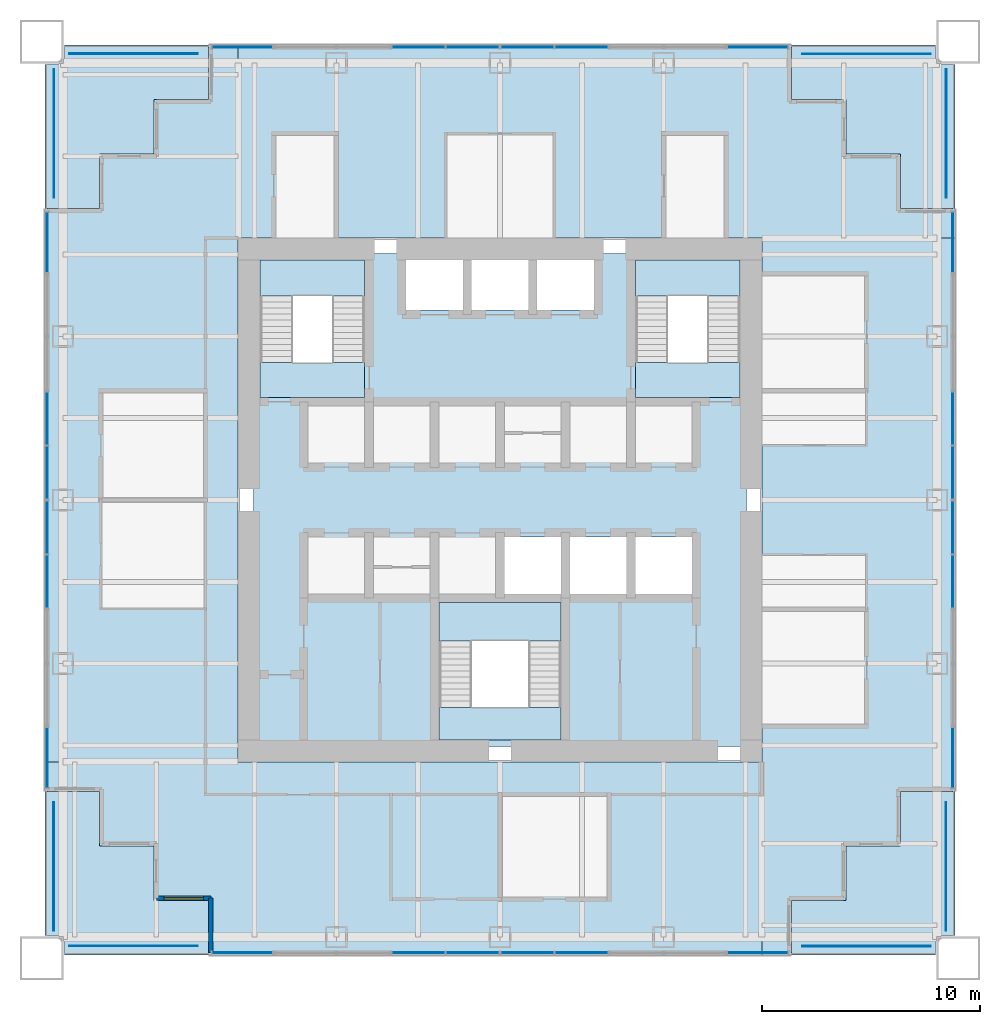
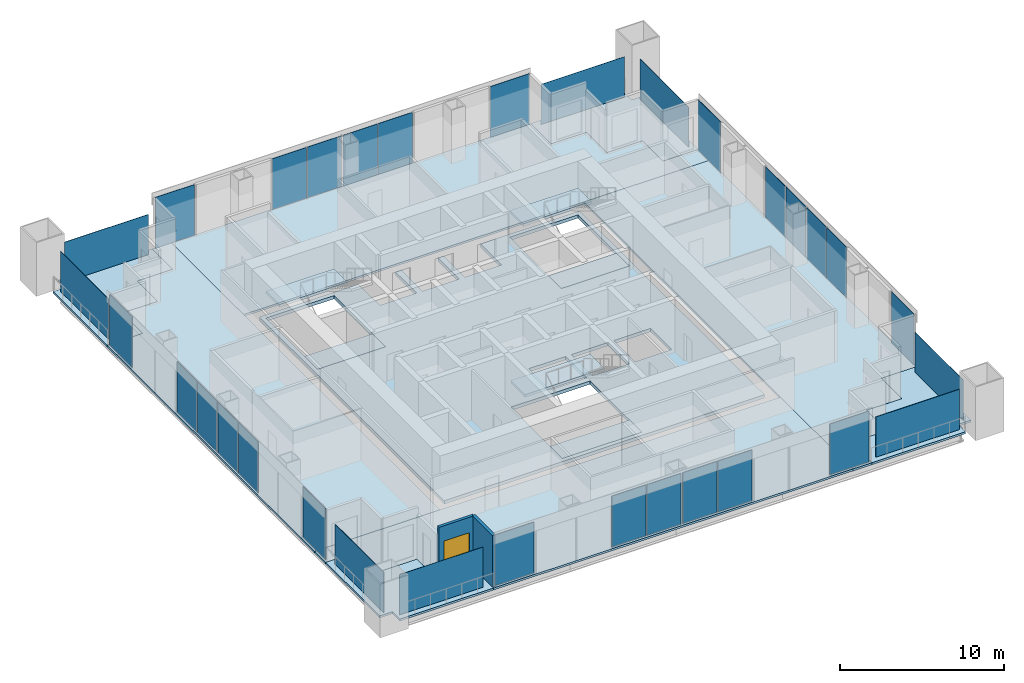
# One storey, part 8 of 14: 32 plates, 15 slabs, 2 walls, 1 window, 1 opening, 19 elements without a shape of their own.
"""IFC4 building model written with IfcOpenShell, lengths in metres."""

from ifc_helpers import new_model, si_unit, direction, frame, frame_2d, origin, origin_2d, place, context, subcontext, project, spatial, polyline, rectangle, outline, extrude, material, layer, layer_set, type_object, element, fill, aggregate, save


model = new_model("IFC4")

# Units and contexts
model_context = context("Model", 3, precision=1e-05, world=origin(), true_north=direction((0.0, 1.0)))
body_context = subcontext(model_context, "Body", "Model", "MODEL_VIEW")
ifc_project = project(units=[si_unit("LENGTHUNIT", "METRE"), si_unit("AREAUNIT", "SQUARE_METRE"), si_unit("VOLUMEUNIT", "CUBIC_METRE"), si_unit("PLANEANGLEUNIT", "RADIAN"), si_unit("MASSUNIT", "GRAM", prefix="KILO")], contexts=[model_context])

# Site, building, storey
site_placement = place(None, origin())
site = spatial("IfcSite", under=ifc_project, at=site_placement, CompositionType="ELEMENT")
building_placement = place(site_placement, origin())
building = spatial("IfcBuilding", under=site, at=building_placement, Name="Tarangal Relay Tower", CompositionType="ELEMENT")
storey_placement = place(building_placement, frame((0.0, 0.0, 307.89990234375)))
storey = spatial("IfcBuildingStorey", under=building, at=storey_placement, Name="L68", CompositionType="ELEMENT", Elevation=307.89990234375)

# Slabs
ifc_material_1 = material(Name="Concrete fc' 35 MPa", Category="concrete")
ifc_layer_1 = layer(ifc_material_1, 0.25)
ifc_layer_set_1 = layer_set([ifc_layer_1], Name="Core floor slab 250")
slab_type_1 = type_object("IfcSlabType", Name="Core floor slab 250", PredefinedType="FLOOR", material=ifc_layer_set_1)
slab_1_placement = place(storey_placement, frame((0.0, 0.0, -0.25)))
element("IfcSlab", 1, at=slab_1_placement, inside=storey, type_object=slab_type_1, Name="Core floor slab L68", PredefinedType="FLOOR", context=body_context, shape_type="SweptSolid", body=[
    extrude(outline(polyline([(11.300048828125, 11.300048828125), (11.300048828125, -11.300048828125), (-11.300048828125, -11.300048828125), (-11.300048828125, 11.300048828125), (-4.300048828125, 11.300048828125), (-4.300048828125, 8.699951171875), (-1.699951171875, 8.699951171875), (-1.699951171875, 11.300048828125), (-1.300048828125, 11.300048828125), (-1.300048828125, 8.699951171875), (1.300048828125, 8.699951171875), (1.300048828125, 11.300048828125), (1.699951171875, 11.300048828125), (1.699951171875, 8.699951171875), (4.300048828125, 8.699951171875), (4.300048828125, 11.300048828125), (11.300048828125, 11.300048828125)]), holes=[polyline([(2.800048828125, -4.699951171875), (-2.800048828125, -4.699951171875), (-2.800048828125, -11.0), (2.800048828125, -11.0), (2.800048828125, -4.699951171875)]), polyline([(2.800048828125, -1.699951171875), (0.199951171875, -1.699951171875), (0.199951171875, -4.300048828125), (2.800048828125, -4.300048828125), (2.800048828125, -1.699951171875)]), polyline([(5.800048828125, -1.699951171875), (3.199951171875, -1.699951171875), (3.199951171875, -4.300048828125), (5.800048828125, -4.300048828125), (5.800048828125, -1.699951171875)]), polyline([(8.800048828125, -1.699951171875), (6.199951171875, -1.699951171875), (6.199951171875, -4.300048828125), (8.800048828125, -4.300048828125), (8.800048828125, -1.699951171875)]), polyline([(-6.199951171875, 11.0), (-11.0, 11.0), (-11.0, 4.699951171875), (-6.199951171875, 4.699951171875), (-6.199951171875, 11.0)]), polyline([(11.0, 11.0), (6.199951171875, 11.0), (6.199951171875, 4.699951171875), (11.0, 4.699951171875), (11.0, 11.0)])]), origin(), (0.0, 0.0, 1.0), 0.25),
])
ifc_layer_2 = layer(ifc_material_1, 0.14990234375)
ifc_layer_set_2 = layer_set([ifc_layer_2], Name="Floor slab 150")
slab_type_2 = type_object("IfcSlabType", Name="Floor slab 150", PredefinedType="FLOOR", material=ifc_layer_set_2)
slab_2_placement = place(storey_placement, frame((0.0, 0.0, -0.14990234375)))
element("IfcSlab", 2, at=slab_2_placement, inside=storey, type_object=slab_type_2, Name="Floor slab FS3 L68 north bay", PredefinedType="FLOOR", context=body_context, shape_type="SweptSolid", body=[
    extrude(outline(polyline([(13.35009765625, 20.85009765625), (13.35009765625, 18.35009765625), (15.85009765625, 18.35009765625), (15.85009765625, 15.85009765625), (18.35009765625, 15.85009765625), (18.35009765625, 13.35009765625), (20.85009765625, 13.35009765625), (20.85009765625, 12.0), (-12.0, 12.0), (-12.0, 20.85009765625), (13.35009765625, 20.85009765625)])), origin(), (0.0, 0.0, 1.0), 0.14990234375),
])
slab_3_placement = place(storey_placement, frame((0.0, 0.0, -0.14990234375)))
element("IfcSlab", 3, at=slab_3_placement, inside=storey, type_object=slab_type_2, Name="Floor slab FS3 L68 east bay", PredefinedType="FLOOR", context=body_context, shape_type="SweptSolid", body=[
    extrude(outline(polyline([(20.85009765625, -13.35009765625), (18.35009765625, -13.35009765625), (18.35009765625, -15.85009765625), (15.85009765625, -15.85009765625), (15.85009765625, -18.35009765625), (13.35009765625, -18.35009765625), (13.35009765625, -20.85009765625), (12.0, -20.85009765625), (12.0, 12.0), (20.85009765625, 12.0), (20.85009765625, -13.35009765625)])), origin(), (0.0, 0.0, 1.0), 0.14990234375),
])
slab_4_placement = place(storey_placement, frame((0.0, 0.0, -0.14990234375)))
element("IfcSlab", 4, at=slab_4_placement, inside=storey, type_object=slab_type_2, Name="Floor slab FS3 L68 south bay", PredefinedType="FLOOR", context=body_context, shape_type="SweptSolid", body=[
    extrude(outline(polyline([(-13.35009765625, -20.85009765625), (-13.35009765625, -18.35009765625), (-15.85009765625, -18.35009765625), (-15.85009765625, -15.85009765625), (-18.35009765625, -15.85009765625), (-18.35009765625, -13.35009765625), (-20.85009765625, -13.35009765625), (-20.85009765625, -12.0), (12.0, -12.0), (12.0, -20.85009765625), (-13.35009765625, -20.85009765625)])), origin(), (0.0, 0.0, 1.0), 0.14990234375),
])
slab_5_placement = place(storey_placement, frame((0.0, 0.0, -0.14990234375)))
element("IfcSlab", 5, at=slab_5_placement, inside=storey, type_object=slab_type_2, Name="Floor slab FS3 L68 west bay", PredefinedType="FLOOR", context=body_context, shape_type="SweptSolid", body=[
    extrude(outline(polyline([(-12.0, 20.85009765625), (-12.0, -12.0), (-20.85009765625, -12.0), (-20.85009765625, 13.35009765625), (-18.35009765625, 13.35009765625), (-18.35009765625, 15.85009765625), (-15.85009765625, 15.85009765625), (-15.85009765625, 18.35009765625), (-13.35009765625, 18.35009765625), (-13.35009765625, 20.85009765625), (-12.0, 20.85009765625)])), origin(), (0.0, 0.0, 1.0), 0.14990234375),
])

# Curtain wall, plate
ifc_material_2 = material(Name="Unitised curtain wall, dark glass and black aluminium", Category="aluminium")
curtain_wall_type = type_object("IfcCurtainWallType", Name="Curtain wall CW-B", PredefinedType="USERDEFINED", material=ifc_material_2)
curtain_wall_1_placement = place(storey_placement, origin())
curtain_wall_1 = element("IfcCurtainWall", 6, at=curtain_wall_1_placement, inside=storey, type_object=curtain_wall_type, Name="Curtain wall CW-B N facade L68", ObjectType="UNITISED CURTAIN WALL", PredefinedType="USERDEFINED")
ifc_material_3 = material(Name="Dark tinted insulated glass unit", Category="glass")
ifc_layer_3 = layer(ifc_material_3, 0.030029296875)
ifc_layer_set_3 = layer_set([ifc_layer_3], Name="Glazed panel CW-B 30")
plate_type_1 = type_object("IfcPlateType", Name="Glazed panel CW-B 30", PredefinedType="CURTAIN_PANEL", material=ifc_layer_set_3)
plate_1_placement = place(storey_placement, frame((-11.8125, 20.75, 0.06005859375), z_axis=(0.0, 0.0, 1.0), x_axis=(1.0, 0.0, 0.0)))
plate_1 = element("IfcPlate", 7, at=plate_1_placement, type_object=plate_type_1, Name="CW-B panel 1.1", PredefinedType="CURTAIN_PANEL", context=body_context, shape_type="SweptSolid", body=[
    extrude(rectangle(XDim=2.7548828125, YDim=0.030029296875, at=origin_2d()), origin(), (0.0, 0.0, 1.0), 3.7900390625),
])
aggregate(curtain_wall_1, [plate_1])

# Curtain wall, plates
curtain_wall_2_placement = place(storey_placement, origin())
curtain_wall_2 = element("IfcCurtainWall", 8, at=curtain_wall_2_placement, inside=storey, type_object=curtain_wall_type, Name="Curtain wall CW-B N facade L68", ObjectType="UNITISED CURTAIN WALL", PredefinedType="USERDEFINED")
plate_2_placement = place(storey_placement, frame((-3.735107421875, 20.75, 0.06005859375), z_axis=(0.0, 0.0, 1.0), x_axis=(1.0, 0.0, 0.0)))
plate_2 = element("IfcPlate", 9, at=plate_2_placement, type_object=plate_type_1, Name="CW-B panel 1.1", PredefinedType="CURTAIN_PANEL", context=body_context, shape_type="SweptSolid", body=[
    extrude(rectangle(XDim=2.409912109375, YDim=0.030029296875, at=origin_2d()), origin(), (0.0, 0.0, 1.0), 3.7900390625),
])
plate_3_placement = place(storey_placement, frame((-1.264892578125, 20.75, 0.06005859375), z_axis=(0.0, 0.0, 1.0), x_axis=(1.0, 0.0, 0.0)))
plate_3 = element("IfcPlate", 10, at=plate_3_placement, type_object=plate_type_1, Name="CW-B panel 2.1", PredefinedType="CURTAIN_PANEL", context=body_context, shape_type="SweptSolid", body=[
    extrude(rectangle(XDim=2.409912109375, YDim=0.030029296875, at=origin_2d()), origin(), (0.0, 0.0, 1.0), 3.7900390625),
])
aggregate(curtain_wall_2, [plate_2, plate_3])

curtain_wall_3_placement = place(storey_placement, origin())
curtain_wall_3 = element("IfcCurtainWall", 11, at=curtain_wall_3_placement, inside=storey, type_object=curtain_wall_type, Name="Curtain wall CW-B N facade L68", ObjectType="UNITISED CURTAIN WALL", PredefinedType="USERDEFINED")
plate_4_placement = place(storey_placement, frame((1.264892578125, 20.75, 0.06005859375), z_axis=(0.0, 0.0, 1.0), x_axis=(1.0, 0.0, 0.0)))
plate_4 = element("IfcPlate", 12, at=plate_4_placement, type_object=plate_type_1, Name="CW-B panel 1.1", PredefinedType="CURTAIN_PANEL", context=body_context, shape_type="SweptSolid", body=[
    extrude(rectangle(XDim=2.409912109375, YDim=0.030029296875, at=origin_2d()), origin(), (0.0, 0.0, 1.0), 3.7900390625),
])
plate_5_placement = place(storey_placement, frame((3.735107421875, 20.75, 0.06005859375), z_axis=(0.0, 0.0, 1.0), x_axis=(1.0, 0.0, 0.0)))
plate_5 = element("IfcPlate", 13, at=plate_5_placement, type_object=plate_type_1, Name="CW-B panel 2.1", PredefinedType="CURTAIN_PANEL", context=body_context, shape_type="SweptSolid", body=[
    extrude(rectangle(XDim=2.409912109375, YDim=0.030029296875, at=origin_2d()), origin(), (0.0, 0.0, 1.0), 3.7900390625),
])
aggregate(curtain_wall_3, [plate_4, plate_5])

# Curtain wall, plate
curtain_wall_4_placement = place(storey_placement, origin())
curtain_wall_4 = element("IfcCurtainWall", 14, at=curtain_wall_4_placement, inside=storey, type_object=curtain_wall_type, Name="Curtain wall CW-B N facade L68", ObjectType="UNITISED CURTAIN WALL", PredefinedType="USERDEFINED")
plate_6_placement = place(storey_placement, frame((11.8125, 20.75, 0.06005859375), z_axis=(0.0, 0.0, 1.0), x_axis=(1.0, 0.0, 0.0)))
plate_6 = element("IfcPlate", 15, at=plate_6_placement, type_object=plate_type_1, Name="CW-B panel 1.1", PredefinedType="CURTAIN_PANEL", context=body_context, shape_type="SweptSolid", body=[
    extrude(rectangle(XDim=2.7548828125, YDim=0.030029296875, at=origin_2d()), origin(), (0.0, 0.0, 1.0), 3.7900390625),
])
aggregate(curtain_wall_4, [plate_6])

curtain_wall_5_placement = place(storey_placement, origin())
curtain_wall_5 = element("IfcCurtainWall", 16, at=curtain_wall_5_placement, inside=storey, type_object=curtain_wall_type, Name="Curtain wall CW-B E facade L68", ObjectType="UNITISED CURTAIN WALL", PredefinedType="USERDEFINED")
plate_7_placement = place(storey_placement, frame((20.75, 11.8125, 0.06005859375), z_axis=(0.0, 0.0, 1.0), x_axis=(0.0, -1.0, 0.0)))
plate_7 = element("IfcPlate", 17, at=plate_7_placement, type_object=plate_type_1, Name="CW-B panel 1.1", PredefinedType="CURTAIN_PANEL", context=body_context, shape_type="SweptSolid", body=[
    extrude(rectangle(XDim=2.7548828125, YDim=0.030029296875, at=origin_2d()), origin(), (0.0, 0.0, 1.0), 3.7900390625),
])
aggregate(curtain_wall_5, [plate_7])

# Curtain wall, plates
curtain_wall_6_placement = place(storey_placement, origin())
curtain_wall_6 = element("IfcCurtainWall", 18, at=curtain_wall_6_placement, inside=storey, type_object=curtain_wall_type, Name="Curtain wall CW-B E facade L68", ObjectType="UNITISED CURTAIN WALL", PredefinedType="USERDEFINED")
plate_8_placement = place(storey_placement, frame((20.75, 3.735107421875, 0.06005859375), z_axis=(0.0, 0.0, 1.0), x_axis=(0.0, -1.0, 0.0)))
plate_8 = element("IfcPlate", 19, at=plate_8_placement, type_object=plate_type_1, Name="CW-B panel 1.1", PredefinedType="CURTAIN_PANEL", context=body_context, shape_type="SweptSolid", body=[
    extrude(rectangle(XDim=2.409912109375, YDim=0.030029296875, at=origin_2d()), origin(), (0.0, 0.0, 1.0), 3.7900390625),
])
plate_9_placement = place(storey_placement, frame((20.75, 1.264892578125, 0.06005859375), z_axis=(0.0, 0.0, 1.0), x_axis=(0.0, -1.0, 0.0)))
plate_9 = element("IfcPlate", 20, at=plate_9_placement, type_object=plate_type_1, Name="CW-B panel 2.1", PredefinedType="CURTAIN_PANEL", context=body_context, shape_type="SweptSolid", body=[
    extrude(rectangle(XDim=2.409912109375, YDim=0.030029296875, at=origin_2d()), origin(), (0.0, 0.0, 1.0), 3.7900390625),
])
aggregate(curtain_wall_6, [plate_8, plate_9])

curtain_wall_7_placement = place(storey_placement, origin())
curtain_wall_7 = element("IfcCurtainWall", 21, at=curtain_wall_7_placement, inside=storey, type_object=curtain_wall_type, Name="Curtain wall CW-B E facade L68", ObjectType="UNITISED CURTAIN WALL", PredefinedType="USERDEFINED")
plate_10_placement = place(storey_placement, frame((20.75, -1.264892578125, 0.06005859375), z_axis=(0.0, 0.0, 1.0), x_axis=(0.0, -1.0, 0.0)))
plate_10 = element("IfcPlate", 22, at=plate_10_placement, type_object=plate_type_1, Name="CW-B panel 1.1", PredefinedType="CURTAIN_PANEL", context=body_context, shape_type="SweptSolid", body=[
    extrude(rectangle(XDim=2.409912109375, YDim=0.030029296875, at=origin_2d()), origin(), (0.0, 0.0, 1.0), 3.7900390625),
])
plate_11_placement = place(storey_placement, frame((20.75, -3.735107421875, 0.06005859375), z_axis=(0.0, 0.0, 1.0), x_axis=(0.0, -1.0, 0.0)))
plate_11 = element("IfcPlate", 23, at=plate_11_placement, type_object=plate_type_1, Name="CW-B panel 2.1", PredefinedType="CURTAIN_PANEL", context=body_context, shape_type="SweptSolid", body=[
    extrude(rectangle(XDim=2.409912109375, YDim=0.030029296875, at=origin_2d()), origin(), (0.0, 0.0, 1.0), 3.7900390625),
])
aggregate(curtain_wall_7, [plate_10, plate_11])

# Curtain wall, plate
curtain_wall_8_placement = place(storey_placement, origin())
curtain_wall_8 = element("IfcCurtainWall", 24, at=curtain_wall_8_placement, inside=storey, type_object=curtain_wall_type, Name="Curtain wall CW-B E facade L68", ObjectType="UNITISED CURTAIN WALL", PredefinedType="USERDEFINED")
plate_12_placement = place(storey_placement, frame((20.75, -11.8125, 0.06005859375), z_axis=(0.0, 0.0, 1.0), x_axis=(0.0, -1.0, 0.0)))
plate_12 = element("IfcPlate", 25, at=plate_12_placement, type_object=plate_type_1, Name="CW-B panel 1.1", PredefinedType="CURTAIN_PANEL", context=body_context, shape_type="SweptSolid", body=[
    extrude(rectangle(XDim=2.7548828125, YDim=0.030029296875, at=origin_2d()), origin(), (0.0, 0.0, 1.0), 3.7900390625),
])
aggregate(curtain_wall_8, [plate_12])

curtain_wall_9_placement = place(storey_placement, origin())
curtain_wall_9 = element("IfcCurtainWall", 26, at=curtain_wall_9_placement, inside=storey, type_object=curtain_wall_type, Name="Curtain wall CW-B S facade L68", ObjectType="UNITISED CURTAIN WALL", PredefinedType="USERDEFINED")
plate_13_placement = place(storey_placement, frame((11.8125, -20.75, 0.06005859375), z_axis=(0.0, 0.0, 1.0), x_axis=(-1.0, 0.0, 0.0)))
plate_13 = element("IfcPlate", 27, at=plate_13_placement, type_object=plate_type_1, Name="CW-B panel 1.1", PredefinedType="CURTAIN_PANEL", context=body_context, shape_type="SweptSolid", body=[
    extrude(rectangle(XDim=2.7548828125, YDim=0.030029296875, at=origin_2d()), origin(), (0.0, 0.0, 1.0), 3.7900390625),
])
aggregate(curtain_wall_9, [plate_13])

# Curtain wall, plates
curtain_wall_10_placement = place(storey_placement, origin())
curtain_wall_10 = element("IfcCurtainWall", 28, at=curtain_wall_10_placement, inside=storey, type_object=curtain_wall_type, Name="Curtain wall CW-B S facade L68", ObjectType="UNITISED CURTAIN WALL", PredefinedType="USERDEFINED")
plate_14_placement = place(storey_placement, frame((3.735107421875, -20.75, 0.06005859375), z_axis=(0.0, 0.0, 1.0), x_axis=(-1.0, 0.0, 0.0)))
plate_14 = element("IfcPlate", 29, at=plate_14_placement, type_object=plate_type_1, Name="CW-B panel 1.1", PredefinedType="CURTAIN_PANEL", context=body_context, shape_type="SweptSolid", body=[
    extrude(rectangle(XDim=2.409912109375, YDim=0.030029296875, at=origin_2d()), origin(), (0.0, 0.0, 1.0), 3.7900390625),
])
plate_15_placement = place(storey_placement, frame((1.264892578125, -20.75, 0.06005859375), z_axis=(0.0, 0.0, 1.0), x_axis=(-1.0, 0.0, 0.0)))
plate_15 = element("IfcPlate", 30, at=plate_15_placement, type_object=plate_type_1, Name="CW-B panel 2.1", PredefinedType="CURTAIN_PANEL", context=body_context, shape_type="SweptSolid", body=[
    extrude(rectangle(XDim=2.409912109375, YDim=0.030029296875, at=origin_2d()), origin(), (0.0, 0.0, 1.0), 3.7900390625),
])
aggregate(curtain_wall_10, [plate_14, plate_15])

curtain_wall_11_placement = place(storey_placement, origin())
curtain_wall_11 = element("IfcCurtainWall", 31, at=curtain_wall_11_placement, inside=storey, type_object=curtain_wall_type, Name="Curtain wall CW-B S facade L68", ObjectType="UNITISED CURTAIN WALL", PredefinedType="USERDEFINED")
plate_16_placement = place(storey_placement, frame((-1.264892578125, -20.75, 0.06005859375), z_axis=(0.0, 0.0, 1.0), x_axis=(-1.0, 0.0, 0.0)))
plate_16 = element("IfcPlate", 32, at=plate_16_placement, type_object=plate_type_1, Name="CW-B panel 1.1", PredefinedType="CURTAIN_PANEL", context=body_context, shape_type="SweptSolid", body=[
    extrude(rectangle(XDim=2.409912109375, YDim=0.030029296875, at=origin_2d()), origin(), (0.0, 0.0, 1.0), 3.7900390625),
])
plate_17_placement = place(storey_placement, frame((-3.735107421875, -20.75, 0.06005859375), z_axis=(0.0, 0.0, 1.0), x_axis=(-1.0, 0.0, 0.0)))
plate_17 = element("IfcPlate", 33, at=plate_17_placement, type_object=plate_type_1, Name="CW-B panel 2.1", PredefinedType="CURTAIN_PANEL", context=body_context, shape_type="SweptSolid", body=[
    extrude(rectangle(XDim=2.409912109375, YDim=0.030029296875, at=origin_2d()), origin(), (0.0, 0.0, 1.0), 3.7900390625),
])
aggregate(curtain_wall_11, [plate_16, plate_17])

# Curtain wall, plate
curtain_wall_12_placement = place(storey_placement, origin())
curtain_wall_12 = element("IfcCurtainWall", 34, at=curtain_wall_12_placement, inside=storey, type_object=curtain_wall_type, Name="Curtain wall CW-B S facade L68", ObjectType="UNITISED CURTAIN WALL", PredefinedType="USERDEFINED")
plate_18_placement = place(storey_placement, frame((-11.8125, -20.75, 0.06005859375), z_axis=(0.0, 0.0, 1.0), x_axis=(-1.0, 0.0, 0.0)))
plate_18 = element("IfcPlate", 35, at=plate_18_placement, type_object=plate_type_1, Name="CW-B panel 1.1", PredefinedType="CURTAIN_PANEL", context=body_context, shape_type="SweptSolid", body=[
    extrude(rectangle(XDim=2.7548828125, YDim=0.030029296875, at=origin_2d()), origin(), (0.0, 0.0, 1.0), 3.7900390625),
])
aggregate(curtain_wall_12, [plate_18])

curtain_wall_13_placement = place(storey_placement, origin())
curtain_wall_13 = element("IfcCurtainWall", 36, at=curtain_wall_13_placement, inside=storey, type_object=curtain_wall_type, Name="Curtain wall CW-B W facade L68", ObjectType="UNITISED CURTAIN WALL", PredefinedType="USERDEFINED")
plate_19_placement = place(storey_placement, frame((-20.75, -11.8125, 0.06005859375), z_axis=(0.0, 0.0, 1.0), x_axis=(0.0, 1.0, 0.0)))
plate_19 = element("IfcPlate", 37, at=plate_19_placement, type_object=plate_type_1, Name="CW-B panel 1.1", PredefinedType="CURTAIN_PANEL", context=body_context, shape_type="SweptSolid", body=[
    extrude(rectangle(XDim=2.7548828125, YDim=0.030029296875, at=origin_2d()), origin(), (0.0, 0.0, 1.0), 3.7900390625),
])
aggregate(curtain_wall_13, [plate_19])

# Curtain wall, plates
curtain_wall_14_placement = place(storey_placement, origin())
curtain_wall_14 = element("IfcCurtainWall", 38, at=curtain_wall_14_placement, inside=storey, type_object=curtain_wall_type, Name="Curtain wall CW-B W facade L68", ObjectType="UNITISED CURTAIN WALL", PredefinedType="USERDEFINED")
plate_20_placement = place(storey_placement, frame((-20.75, -3.735107421875, 0.06005859375), z_axis=(0.0, 0.0, 1.0), x_axis=(0.0, 1.0, 0.0)))
plate_20 = element("IfcPlate", 39, at=plate_20_placement, type_object=plate_type_1, Name="CW-B panel 1.1", PredefinedType="CURTAIN_PANEL", context=body_context, shape_type="SweptSolid", body=[
    extrude(rectangle(XDim=2.409912109375, YDim=0.030029296875, at=origin_2d()), origin(), (0.0, 0.0, 1.0), 3.7900390625),
])
plate_21_placement = place(storey_placement, frame((-20.75, -1.264892578125, 0.06005859375), z_axis=(0.0, 0.0, 1.0), x_axis=(0.0, 1.0, 0.0)))
plate_21 = element("IfcPlate", 40, at=plate_21_placement, type_object=plate_type_1, Name="CW-B panel 2.1", PredefinedType="CURTAIN_PANEL", context=body_context, shape_type="SweptSolid", body=[
    extrude(rectangle(XDim=2.409912109375, YDim=0.030029296875, at=origin_2d()), origin(), (0.0, 0.0, 1.0), 3.7900390625),
])
aggregate(curtain_wall_14, [plate_20, plate_21])

curtain_wall_15_placement = place(storey_placement, origin())
curtain_wall_15 = element("IfcCurtainWall", 41, at=curtain_wall_15_placement, inside=storey, type_object=curtain_wall_type, Name="Curtain wall CW-B W facade L68", ObjectType="UNITISED CURTAIN WALL", PredefinedType="USERDEFINED")
plate_22_placement = place(storey_placement, frame((-20.75, 1.264892578125, 0.06005859375), z_axis=(0.0, 0.0, 1.0), x_axis=(0.0, 1.0, 0.0)))
plate_22 = element("IfcPlate", 42, at=plate_22_placement, type_object=plate_type_1, Name="CW-B panel 1.1", PredefinedType="CURTAIN_PANEL", context=body_context, shape_type="SweptSolid", body=[
    extrude(rectangle(XDim=2.409912109375, YDim=0.030029296875, at=origin_2d()), origin(), (0.0, 0.0, 1.0), 3.7900390625),
])
plate_23_placement = place(storey_placement, frame((-20.75, 3.735107421875, 0.06005859375), z_axis=(0.0, 0.0, 1.0), x_axis=(0.0, 1.0, 0.0)))
plate_23 = element("IfcPlate", 43, at=plate_23_placement, type_object=plate_type_1, Name="CW-B panel 2.1", PredefinedType="CURTAIN_PANEL", context=body_context, shape_type="SweptSolid", body=[
    extrude(rectangle(XDim=2.409912109375, YDim=0.030029296875, at=origin_2d()), origin(), (0.0, 0.0, 1.0), 3.7900390625),
])
aggregate(curtain_wall_15, [plate_22, plate_23])

# Curtain wall, plate
curtain_wall_16_placement = place(storey_placement, origin())
curtain_wall_16 = element("IfcCurtainWall", 44, at=curtain_wall_16_placement, inside=storey, type_object=curtain_wall_type, Name="Curtain wall CW-B W facade L68", ObjectType="UNITISED CURTAIN WALL", PredefinedType="USERDEFINED")
plate_24_placement = place(storey_placement, frame((-20.75, 11.8125, 0.06005859375), z_axis=(0.0, 0.0, 1.0), x_axis=(0.0, 1.0, 0.0)))
plate_24 = element("IfcPlate", 45, at=plate_24_placement, type_object=plate_type_1, Name="CW-B panel 1.1", PredefinedType="CURTAIN_PANEL", context=body_context, shape_type="SweptSolid", body=[
    extrude(rectangle(XDim=2.7548828125, YDim=0.030029296875, at=origin_2d()), origin(), (0.0, 0.0, 1.0), 3.7900390625),
])
aggregate(curtain_wall_16, [plate_24])

# Plates
ifc_material_4 = material(Name="Black stainless steel cable trellis with climbing planting", Category="steel")
ifc_layer_4 = layer(ifc_material_4, 0.030029296875)
ifc_layer_set_4 = layer_set([ifc_layer_4], Name="Planted trellis screen")
plate_type_2 = type_object("IfcPlateType", Name="Planted trellis screen", PredefinedType="SHEET", material=ifc_layer_set_4)
for number, where, z_axis, x_axis, name in (
    (46, (20.449951171875, 16.800048828125, 0.0), (0.0, 0.0, 1.0), (0.0, -1.0, 0.0), "Planted trellis SC2 NE L68"),
    (47, (16.800048828125, -20.449951171875, 0.0), (0.0, 0.0, 1.0), (-1.0, 0.0, 0.0), "Planted trellis SC2 SE L68"),
    (48, (-20.449951171875, -16.800048828125, 0.0), (0.0, 0.0, 1.0), (0.0, 1.0, 0.0), "Planted trellis SC2 SW L68"),
    (49, (-16.800048828125, 20.449951171875, 0.0), (0.0, 0.0, 1.0), (1.0, 0.0, 0.0), "Planted trellis SC2 NW L68"),
):
    element("IfcPlate", number, at=place(storey_placement, frame(where, z_axis=z_axis, x_axis=x_axis)), inside=storey, type_object=plate_type_2, Name=name, PredefinedType="SHEET", context=body_context, shape_type="SweptSolid", body=[
        extrude(rectangle(XDim=5.89990234375, YDim=0.030029296875, at=origin_2d()), origin(), (0.0, 0.0, 1.0), 3.0),
    ])

# Stair, slabs
ifc_material_5 = material(Name="Steel ASTM A992 stair flight", Category="steel")
stair_type = type_object("IfcStairType", Name="Core stair 1500", PredefinedType="HALF_TURN_STAIR", material=ifc_material_5)
stair_1_placement = place(storey_placement, origin())
stair_1 = element("IfcStair", 50, at=stair_1_placement, inside=storey, type_object=stair_type, Name="Stair ST-A L68", PredefinedType="HALF_TURN_STAIR")
ifc_layer_5 = layer(ifc_material_1, 0.199951171875)
ifc_layer_set_5 = layer_set([ifc_layer_5], Name="Stair landing 200")
slab_type_3 = type_object("IfcSlabType", Name="Stair landing 200", PredefinedType="LANDING", material=ifc_layer_set_5)
slab_6_placement = place(storey_placement, frame((0.0, 0.0, -0.199951171875)))
slab_6 = element("IfcSlab", 51, at=slab_6_placement, type_object=slab_type_3, Name="ST-A landing 1", PredefinedType="LANDING", context=body_context, shape_type="SweptSolid", body=[
    extrude(outline(polyline([(-11.0, 4.699951171875), (-6.199951171875, 4.699951171875), (-6.199951171875, 6.300048828125), (-11.0, 6.300048828125), (-11.0, 4.699951171875)])), origin(), (0.0, 0.0, 1.0), 0.199951171875),
])
slab_7_placement = place(storey_placement, frame((0.0, 0.0, 1.800048828125)))
slab_7 = element("IfcSlab", 52, at=slab_7_placement, type_object=slab_type_3, Name="ST-A landing 2", PredefinedType="LANDING", context=body_context, shape_type="SweptSolid", body=[
    extrude(outline(polyline([(-11.0, 9.346923828125), (-6.199951171875, 9.346923828125), (-6.199951171875, 11.0), (-11.0, 11.0), (-11.0, 9.346923828125)])), origin(), (0.0, 0.0, 1.0), 0.199951171875),
])
aggregate(stair_1, [slab_6, slab_7])

stair_2_placement = place(storey_placement, origin())
stair_2 = element("IfcStair", 53, at=stair_2_placement, inside=storey, type_object=stair_type, Name="Stair ST-B L68", PredefinedType="HALF_TURN_STAIR")
slab_8_placement = place(storey_placement, frame((0.0, 0.0, -0.199951171875)))
slab_8 = element("IfcSlab", 54, at=slab_8_placement, type_object=slab_type_3, Name="ST-B landing 1", PredefinedType="LANDING", context=body_context, shape_type="SweptSolid", body=[
    extrude(outline(polyline([(6.199951171875, 4.699951171875), (11.0, 4.699951171875), (11.0, 6.300048828125), (6.199951171875, 6.300048828125), (6.199951171875, 4.699951171875)])), origin(), (0.0, 0.0, 1.0), 0.199951171875),
])
slab_9_placement = place(storey_placement, frame((0.0, 0.0, 1.800048828125)))
slab_9 = element("IfcSlab", 55, at=slab_9_placement, type_object=slab_type_3, Name="ST-B landing 2", PredefinedType="LANDING", context=body_context, shape_type="SweptSolid", body=[
    extrude(outline(polyline([(6.199951171875, 9.346923828125), (11.0, 9.346923828125), (11.0, 11.0), (6.199951171875, 11.0), (6.199951171875, 9.346923828125)])), origin(), (0.0, 0.0, 1.0), 0.199951171875),
])
aggregate(stair_2, [slab_8, slab_9])

stair_3_placement = place(storey_placement, origin())
stair_3 = element("IfcStair", 56, at=stair_3_placement, inside=storey, type_object=stair_type, Name="Stair ST-C L68", PredefinedType="HALF_TURN_STAIR")
slab_10_placement = place(storey_placement, frame((0.0, 0.0, -0.199951171875)))
slab_10 = element("IfcSlab", 57, at=slab_10_placement, type_object=slab_type_3, Name="ST-C landing 1", PredefinedType="LANDING", context=body_context, shape_type="SweptSolid", body=[
    extrude(outline(polyline([(-2.800048828125, -11.0), (2.800048828125, -11.0), (2.800048828125, -9.5), (-2.800048828125, -9.5), (-2.800048828125, -11.0)])), origin(), (0.0, 0.0, 1.0), 0.199951171875),
])
slab_11_placement = place(storey_placement, frame((0.0, 0.0, 1.800048828125)))
slab_11 = element("IfcSlab", 58, at=slab_11_placement, type_object=slab_type_3, Name="ST-C landing 2", PredefinedType="LANDING", context=body_context, shape_type="SweptSolid", body=[
    extrude(outline(polyline([(-2.800048828125, -6.452880859375), (2.800048828125, -6.452880859375), (2.800048828125, -4.699951171875), (-2.800048828125, -4.699951171875), (-2.800048828125, -6.452880859375)])), origin(), (0.0, 0.0, 1.0), 0.199951171875),
])
aggregate(stair_3, [slab_10, slab_11])

# Plates
ifc_material_6 = material(Name="Perforated black aluminium screen", Category="aluminium")
ifc_layer_6 = layer(ifc_material_6, 0.02001953125)
ifc_layer_set_6 = layer_set([ifc_layer_6], Name="Terrace screen panel")
plate_type_3 = type_object("IfcPlateType", Name="Terrace screen panel", PredefinedType="SHEET", material=ifc_layer_set_6)
for number, where, z_axis, x_axis, name in (
    (59, (16.800048828125, 20.449951171875, 0.0), (0.0, 0.0, 1.0), (1.0, 0.0, 0.0), "Terrace screen SC1 NE L68"),
    (60, (20.449951171875, -16.800048828125, 0.0), (0.0, 0.0, 1.0), (0.0, -1.0, 0.0), "Terrace screen SC1 SE L68"),
    (61, (-16.800048828125, -20.449951171875, 0.0), (0.0, 0.0, 1.0), (-1.0, 0.0, 0.0), "Terrace screen SC1 SW L68"),
    (62, (-20.449951171875, 16.800048828125, 0.0), (0.0, 0.0, 1.0), (0.0, 1.0, 0.0), "Terrace screen SC1 NW L68"),
):
    element("IfcPlate", number, at=place(storey_placement, frame(where, z_axis=z_axis, x_axis=x_axis)), inside=storey, type_object=plate_type_3, Name=name, PredefinedType="SHEET", context=body_context, shape_type="SweptSolid", body=[
        extrude(rectangle(XDim=5.89990234375, YDim=0.02001953125, at=origin_2d()), origin(), (0.0, 0.0, 1.0), 3.0),
    ])

# Slabs
ifc_layer_7 = layer(ifc_material_1, 0.14990234375)
ifc_layer_set_7 = layer_set([ifc_layer_7], Name="Terrace slab 150")
slab_type_4 = type_object("IfcSlabType", Name="Terrace slab 150", PredefinedType="FLOOR", material=ifc_layer_set_7)
slab_12_placement = place(storey_placement, frame((0.0, 0.0, -0.14990234375)))
element("IfcSlab", 63, at=slab_12_placement, inside=storey, type_object=slab_type_4, Name="Corner terrace NE L68", PredefinedType="FLOOR", context=body_context, shape_type="SweptSolid", body=[
    extrude(outline(polyline([(13.35009765625, 20.85009765625), (13.35009765625, 18.35009765625), (15.85009765625, 18.35009765625), (15.85009765625, 15.85009765625), (18.35009765625, 15.85009765625), (18.35009765625, 13.35009765625), (20.85009765625, 13.35009765625), (20.85009765625, 19.949951171875), (19.949951171875, 19.949951171875), (19.949951171875, 20.85009765625), (13.35009765625, 20.85009765625)])), origin(), (0.0, 0.0, 1.0), 0.14990234375),
])
slab_13_placement = place(storey_placement, frame((0.0, 0.0, -0.14990234375)))
element("IfcSlab", 64, at=slab_13_placement, inside=storey, type_object=slab_type_4, Name="Corner terrace SE L68", PredefinedType="FLOOR", context=body_context, shape_type="SweptSolid", body=[
    extrude(outline(polyline([(20.85009765625, -13.35009765625), (18.35009765625, -13.35009765625), (18.35009765625, -15.85009765625), (15.85009765625, -15.85009765625), (15.85009765625, -18.35009765625), (13.35009765625, -18.35009765625), (13.35009765625, -20.85009765625), (19.949951171875, -20.85009765625), (19.949951171875, -19.949951171875), (20.85009765625, -19.949951171875), (20.85009765625, -13.35009765625)])), origin(), (0.0, 0.0, 1.0), 0.14990234375),
])
slab_14_placement = place(storey_placement, frame((0.0, 0.0, -0.14990234375)))
element("IfcSlab", 65, at=slab_14_placement, inside=storey, type_object=slab_type_4, Name="Corner terrace SW L68", PredefinedType="FLOOR", context=body_context, shape_type="SweptSolid", body=[
    extrude(outline(polyline([(-13.35009765625, -20.85009765625), (-13.35009765625, -18.35009765625), (-15.85009765625, -18.35009765625), (-15.85009765625, -15.85009765625), (-18.35009765625, -15.85009765625), (-18.35009765625, -13.35009765625), (-20.85009765625, -13.35009765625), (-20.85009765625, -19.949951171875), (-19.949951171875, -19.949951171875), (-19.949951171875, -20.85009765625), (-13.35009765625, -20.85009765625)])), origin(), (0.0, 0.0, 1.0), 0.14990234375),
])
slab_15_placement = place(storey_placement, frame((0.0, 0.0, -0.14990234375)))
element("IfcSlab", 66, at=slab_15_placement, inside=storey, type_object=slab_type_4, Name="Corner terrace NW L68", PredefinedType="FLOOR", context=body_context, shape_type="SweptSolid", body=[
    extrude(outline(polyline([(-20.85009765625, 13.35009765625), (-18.35009765625, 13.35009765625), (-18.35009765625, 15.85009765625), (-15.85009765625, 15.85009765625), (-15.85009765625, 18.35009765625), (-13.35009765625, 18.35009765625), (-13.35009765625, 20.85009765625), (-19.949951171875, 20.85009765625), (-19.949951171875, 19.949951171875), (-20.85009765625, 19.949951171875), (-20.85009765625, 13.35009765625)])), origin(), (0.0, 0.0, 1.0), 0.14990234375),
])

# Wall
ifc_material_7 = material(Name="Black metal clad insulated wall", Category="steel")
ifc_layer_8 = layer(ifc_material_7, 0.199951171875)
ifc_layer_set_8 = layer_set([ifc_layer_8], Name="Corner wall metal clad 200")
wall_type = type_object("IfcWallType", Name="Corner wall metal clad 200", PredefinedType="SOLIDWALL", material=ifc_layer_set_8)
wall_1_placement = place(storey_placement, frame((-13.25, -20.75, 0.0), z_axis=(0.0, 0.0, 1.0), x_axis=(0.0, 1.0, 0.0)))
element("IfcWall", 67, at=wall_1_placement, inside=storey, type_object=wall_type, Name="Facade wall S facade L68", PredefinedType="SOLIDWALL", context=body_context, shape_type="SweptSolid", body=[
    extrude(rectangle(XDim=2.5, YDim=0.199951171875, at=frame_2d((1.25, 0.0))), origin(), (0.0, 0.0, 1.0), 3.85009765625),
])

# Wall, opening, window
wall_2_placement = place(storey_placement, frame((-13.25, -18.25, 0.0), z_axis=(0.0, 0.0, 1.0), x_axis=(-1.0, 0.0, 0.0)))
wall_2 = element("IfcWall", 68, at=wall_2_placement, inside=storey, type_object=wall_type, Name="Facade wall S facade L68", PredefinedType="SOLIDWALL", context=body_context, shape_type="SweptSolid", body=[
    extrude(rectangle(XDim=2.5, YDim=0.199951171875, at=frame_2d((1.25, 0.0))), origin(), (0.0, 0.0, 1.0), 3.85009765625),
])
opening_placement = place(wall_2_placement, frame((0.35009765625, 0.0, 0.300048828125)))
opening = element("IfcOpeningElement", 69, at=opening_placement, cuts=wall_2, Name="Opening WN2", PredefinedType="OPENING", context=body_context, shape_type="SweptSolid", body=[
    extrude(rectangle(XDim=1.800048828125, YDim=2.39990234375, at=frame_2d((0.89990234375, 1.199951171875))), frame((0.0, 0.10986328125, 0.0), z_axis=(0.0, -1.0, 0.0), x_axis=(1.0, 0.0, 0.0)), (0.0, 0.0, 1.0), 0.219970703125),
])
ifc_material_8 = material(Name="Dark tinted double glazing in black aluminium frame", Category="aluminium")
window_type = type_object("IfcWindowType", Name="Corner window 1800 x 2400", PartitioningType="SINGLE_PANEL", PredefinedType="WINDOW", material=ifc_material_8)
window_placement = place(opening_placement, origin())
window = element("IfcWindow", 70, at=window_placement, inside=storey, type_object=window_type, Name="Corner window WN2 S facade L68", OverallHeight=2.39990234375, OverallWidth=1.800048828125, PartitioningType="SINGLE_PANEL", PredefinedType="WINDOW", context=body_context, shape_type="SweptSolid", body=[
    extrude(rectangle(XDim=1.800048828125, YDim=2.39990234375, at=frame_2d((0.89990234375, 1.199951171875))), frame((0.0, 0.030029296875, 0.0), z_axis=(0.0, -1.0, 0.0), x_axis=(1.0, 0.0, 0.0)), (0.0, 0.0, 1.0), 0.06005859375),
])
fill(opening, window)

save(model, "model.ifc")
